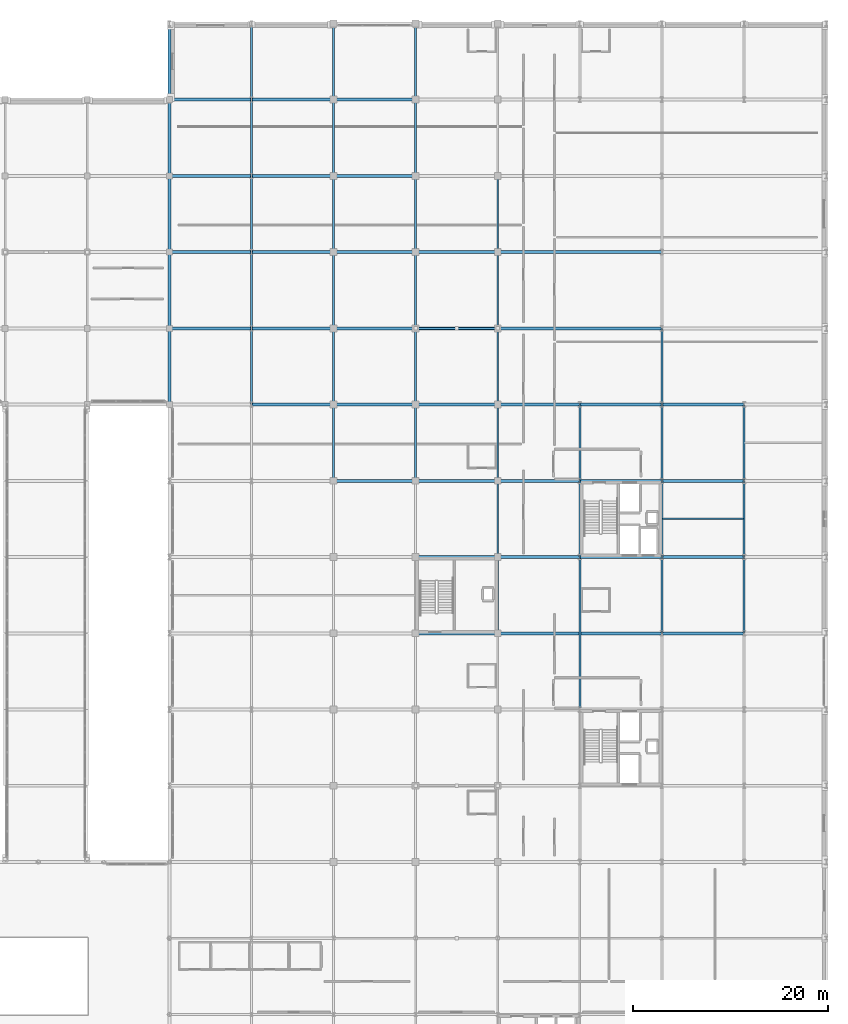
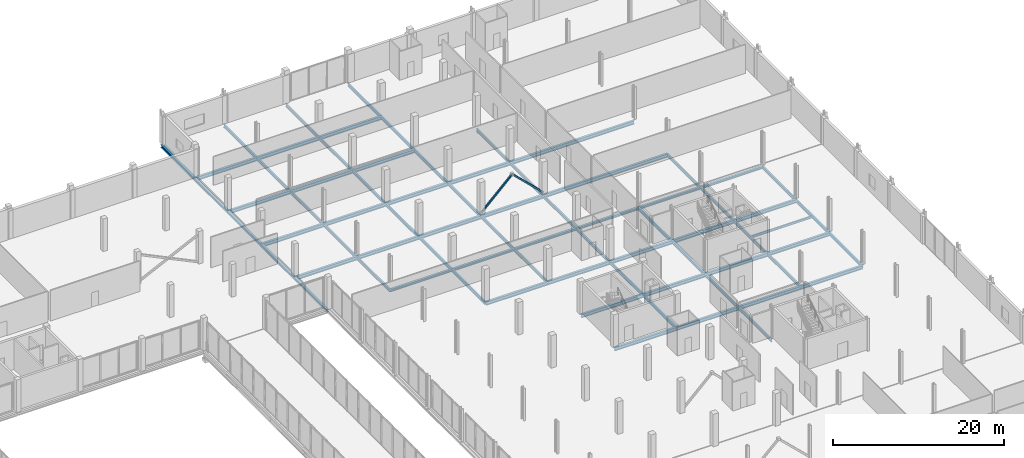
# One storey, part 55 of 98: 73 beams, 2 members.
"""IFC4 building model written with IfcOpenShell, lengths in metres."""

from ifc_helpers import new_model, si_unit, direction, frame, origin, origin_2d, place, context, subcontext, project, spatial, hollow_rectangle, i_section, extrude, material, material_profile, profile_set, type_object, element, save


model = new_model("IFC4")

# Units and contexts
model_context = context("Model", 3, precision=1e-05, world=origin(), true_north=direction((0.0, 1.0)))
body_context = subcontext(model_context, "Body", "Model", "MODEL_VIEW")
ifc_project = project(units=[si_unit("LENGTHUNIT", "METRE"), si_unit("AREAUNIT", "SQUARE_METRE"), si_unit("VOLUMEUNIT", "CUBIC_METRE"), si_unit("PLANEANGLEUNIT", "RADIAN"), si_unit("MASSUNIT", "GRAM", prefix="KILO")], contexts=[model_context])

# Site, building, storey
site_placement = place(None, origin())
site = spatial("IfcSite", under=ifc_project, at=site_placement, CompositionType="ELEMENT")
building_placement = place(site_placement, origin())
building = spatial("IfcBuilding", under=site, at=building_placement, Name="Nabrawat Pavilion Hospital", CompositionType="ELEMENT")
storey_placement = place(building_placement, frame((0.0, 0.0, 10.199951171875)))
storey = spatial("IfcBuildingStorey", under=building, at=storey_placement, Name="L02", CompositionType="ELEMENT", Elevation=10.199951171875)

# Members
ifc_material = material(Name="Steel S355", Category="steel")
ifc_material_profile_1 = material_profile(ifc_material, hollow_rectangle(XDim=0.199951171875, YDim=0.199951171875, WallThickness=0.012451171875, at=origin_2d()), Name="SHS 200x200x12.5")
ifc_profile_set_1 = profile_set([ifc_material_profile_1], Name="Steel S355")
member_type = type_object("IfcMemberType", Name="Mid Seismic Chevron Brace SHS 200x200x12.5", PredefinedType="BRACE", material=ifc_profile_set_1)
member_1_placement = place(storey_placement, frame((151.199951171875, 93.60009765625, 0.050048828125), z_axis=(0.719836081517, 0.0, 0.694144088606), x_axis=(0.0, 1.0, 0.0)))
element("IfcMember", 1, at=member_1_placement, inside=storey, type_object=member_type, Name="L02 Seismic Concentric Chevron Brace 071", PredefinedType="BRACE", context=body_context, shape_type="SweptSolid", body=[
    extrude(hollow_rectangle(XDim=0.199951171875, YDim=0.199951171875, WallThickness=0.012451171875, at=origin_2d()), origin(), (0.0, 0.0, 1.0), 5.83447265625),
])
member_2_placement = place(storey_placement, frame((159.60009765625, 93.60009765625, 0.050048828125), z_axis=(-0.719856242377, 0.0, 0.694123180934), x_axis=(0.0, -1.0, 0.0)))
element("IfcMember", 2, at=member_2_placement, inside=storey, type_object=member_type, Name="L02 Seismic Concentric Chevron Brace 072", PredefinedType="BRACE", context=body_context, shape_type="SweptSolid", body=[
    extrude(hollow_rectangle(XDim=0.199951171875, YDim=0.199951171875, WallThickness=0.012451171875, at=origin_2d()), origin(), (0.0, 0.0, 1.0), 5.834716796875),
])

# Beams
ifc_material_profile_2 = material_profile(ifc_material, i_section(OverallWidth=0.300048828125, OverallDepth=0.389892578125, WebThickness=0.010986328125, FlangeThickness=0.01904296875, FilletRadius=0.027099609375, at=origin_2d()), Name="HEA 400")
ifc_profile_set_2 = profile_set([ifc_material_profile_2], Name="Steel S355")
beam_type_1 = type_object("IfcBeamType", Name="Perimeter Moment Spandrel Beam HEA 400", PredefinedType="SPANDREL", material=ifc_profile_set_2)
beam_1_placement = place(storey_placement, frame((126.0, 85.820068359375, -0.445068359375), z_axis=(0.0, 1.0, 0.0), x_axis=(-1.0, 0.0, 0.0)))
element("IfcBeam", 3, at=beam_1_placement, inside=storey, type_object=beam_type_1, Name="L02 Primary Y Beam 1287", PredefinedType="SPANDREL", context=body_context, shape_type="SweptSolid", body=[
    extrude(i_section(OverallWidth=0.300048828125, OverallDepth=0.389892578125, WebThickness=0.010986328125, FlangeThickness=0.01904296875, FilletRadius=0.027099609375, at=origin_2d()), origin(), (0.0, 0.0, 1.0), 7.760009765625),
])
beam_2_placement = place(storey_placement, frame((126.0, 93.6201171875, -0.445068359375), z_axis=(0.0, 1.0, 0.0), x_axis=(-1.0, 0.0, 0.0)))
element("IfcBeam", 4, at=beam_2_placement, inside=storey, type_object=beam_type_1, Name="L02 Primary Y Beam 1288", PredefinedType="SPANDREL", context=body_context, shape_type="SweptSolid", body=[
    extrude(i_section(OverallWidth=0.300048828125, OverallDepth=0.389892578125, WebThickness=0.010986328125, FlangeThickness=0.01904296875, FilletRadius=0.027099609375, at=origin_2d()), origin(), (0.0, 0.0, 1.0), 7.759765625),
])
for number, where, z_axis, x_axis, name in (
    (5, (126.0, 101.419921875, -0.445068359375), (0.0, 1.0, 0.0), (-1.0, 0.0, 0.0), "L02 Primary Y Beam 1289"),
    (6, (126.0, 109.219970703125, -0.445068359375), (0.0, 1.0, 0.0), (-1.0, 0.0, 0.0), "L02 Primary Y Beam 1290"),
    (7, (126.0, 117.02001953125, -0.445068359375), (0.0, 1.0, 0.0), (-1.0, 0.0, 0.0), "L02 Primary Y Beam 1291"),
):
    element("IfcBeam", number, at=place(storey_placement, frame(where, z_axis=z_axis, x_axis=x_axis)), inside=storey, type_object=beam_type_1, Name=name, PredefinedType="SPANDREL", context=body_context, shape_type="SweptSolid", body=[
        extrude(i_section(OverallWidth=0.300048828125, OverallDepth=0.389892578125, WebThickness=0.010986328125, FlangeThickness=0.01904296875, FilletRadius=0.027099609375, at=origin_2d()), origin(), (0.0, 0.0, 1.0), 7.760009765625),
    ])
ifc_material_profile_3 = material_profile(ifc_material, i_section(OverallWidth=0.300048828125, OverallDepth=0.5, WebThickness=0.014404296875, FlangeThickness=0.028076171875, FilletRadius=0.027099609375, at=origin_2d()), Name="HEB 500")
ifc_profile_set_3 = profile_set([ifc_material_profile_3], Name="Steel S355")
beam_type_2 = type_object("IfcBeamType", Name="Primary Floor Girder HEB 500", PredefinedType="USERDEFINED", material=ifc_profile_set_3)
beam_3_placement = place(storey_placement, frame((151.219970703125, 62.39990234375, -0.5), z_axis=(1.0, 0.0, 0.0), x_axis=(0.0, 1.0, 0.0)))
element("IfcBeam", 8, at=beam_3_placement, inside=storey, type_object=beam_type_2, Name="L02 Primary X Girder 1049", ObjectType="GIRDER", PredefinedType="USERDEFINED", context=body_context, shape_type="SweptSolid", body=[
    extrude(i_section(OverallWidth=0.300048828125, OverallDepth=0.5, WebThickness=0.014404296875, FlangeThickness=0.028076171875, FilletRadius=0.027099609375, at=origin_2d()), origin(), (0.0, 0.0, 1.0), 8.360107421875),
])
beam_4_placement = place(storey_placement, frame((159.6201171875, 62.39990234375, -0.5), z_axis=(1.0, 0.0, 0.0), x_axis=(0.0, 1.0, 0.0)))
element("IfcBeam", 9, at=beam_4_placement, inside=storey, type_object=beam_type_2, Name="L02 Primary X Girder 1050", ObjectType="GIRDER", PredefinedType="USERDEFINED", context=body_context, shape_type="SweptSolid", body=[
    extrude(i_section(OverallWidth=0.300048828125, OverallDepth=0.5, WebThickness=0.014404296875, FlangeThickness=0.028076171875, FilletRadius=0.027099609375, at=origin_2d()), origin(), (0.0, 0.0, 1.0), 16.759765625),
])
for number, where, z_axis, x_axis, name in (
    (10, (176.419921875, 62.39990234375, -0.5), (1.0, 0.0, 0.0), (0.0, 1.0, 0.0), "L02 Primary X Girder 1051"),
    (11, (151.219970703125, 70.199951171875, -0.5), (1.0, 0.0, 0.0), (0.0, 1.0, 0.0), "L02 Primary X Girder 1060"),
):
    element("IfcBeam", number, at=place(storey_placement, frame(where, z_axis=z_axis, x_axis=x_axis)), inside=storey, type_object=beam_type_2, Name=name, ObjectType="GIRDER", PredefinedType="USERDEFINED", context=body_context, shape_type="SweptSolid", body=[
        extrude(i_section(OverallWidth=0.300048828125, OverallDepth=0.5, WebThickness=0.014404296875, FlangeThickness=0.028076171875, FilletRadius=0.027099609375, at=origin_2d()), origin(), (0.0, 0.0, 1.0), 8.360107421875),
    ])
for number, where, z_axis, x_axis, name in (
    (12, (159.6201171875, 70.199951171875, -0.5), (1.0, 0.0, 0.0), (0.0, 1.0, 0.0), "L02 Primary X Girder 1061"),
    (13, (168.02001953125, 70.199951171875, -0.5), (1.0, 0.0, 0.0), (0.0, 1.0, 0.0), "L02 Primary X Girder 1062"),
):
    element("IfcBeam", number, at=place(storey_placement, frame(where, z_axis=z_axis, x_axis=x_axis)), inside=storey, type_object=beam_type_2, Name=name, ObjectType="GIRDER", PredefinedType="USERDEFINED", context=body_context, shape_type="SweptSolid", body=[
        extrude(i_section(OverallWidth=0.300048828125, OverallDepth=0.5, WebThickness=0.014404296875, FlangeThickness=0.028076171875, FilletRadius=0.027099609375, at=origin_2d()), origin(), (0.0, 0.0, 1.0), 8.35986328125),
    ])
beam_5_placement = place(storey_placement, frame((176.419921875, 70.199951171875, -0.5), z_axis=(1.0, 0.0, 0.0), x_axis=(0.0, 1.0, 0.0)))
element("IfcBeam", 14, at=beam_5_placement, inside=storey, type_object=beam_type_2, Name="L02 Primary X Girder 1063", ObjectType="GIRDER", PredefinedType="USERDEFINED", context=body_context, shape_type="SweptSolid", body=[
    extrude(i_section(OverallWidth=0.300048828125, OverallDepth=0.5, WebThickness=0.014404296875, FlangeThickness=0.028076171875, FilletRadius=0.027099609375, at=origin_2d()), origin(), (0.0, 0.0, 1.0), 8.360107421875),
])
beam_6_placement = place(storey_placement, frame((142.820068359375, 78.0, -0.5), z_axis=(1.0, 0.0, 0.0), x_axis=(0.0, 1.0, 0.0)))
element("IfcBeam", 15, at=beam_6_placement, inside=storey, type_object=beam_type_2, Name="L02 Primary X Girder 1071", ObjectType="GIRDER", PredefinedType="USERDEFINED", context=body_context, shape_type="SweptSolid", body=[
    extrude(i_section(OverallWidth=0.300048828125, OverallDepth=0.5, WebThickness=0.014404296875, FlangeThickness=0.028076171875, FilletRadius=0.027099609375, at=origin_2d()), origin(), (0.0, 0.0, 1.0), 8.35986328125),
])
beam_7_placement = place(storey_placement, frame((151.219970703125, 78.0, -0.5), z_axis=(1.0, 0.0, 0.0), x_axis=(0.0, 1.0, 0.0)))
element("IfcBeam", 16, at=beam_7_placement, inside=storey, type_object=beam_type_2, Name="L02 Primary X Girder 1072", ObjectType="GIRDER", PredefinedType="USERDEFINED", context=body_context, shape_type="SweptSolid", body=[
    extrude(i_section(OverallWidth=0.300048828125, OverallDepth=0.5, WebThickness=0.014404296875, FlangeThickness=0.028076171875, FilletRadius=0.027099609375, at=origin_2d()), origin(), (0.0, 0.0, 1.0), 8.360107421875),
])
for number, where, z_axis, x_axis, name in (
    (17, (159.6201171875, 78.0, -0.5), (1.0, 0.0, 0.0), (0.0, 1.0, 0.0), "L02 Primary X Girder 1073"),
    (18, (168.02001953125, 78.0, -0.5), (1.0, 0.0, 0.0), (0.0, 1.0, 0.0), "L02 Primary X Girder 1074"),
):
    element("IfcBeam", number, at=place(storey_placement, frame(where, z_axis=z_axis, x_axis=x_axis)), inside=storey, type_object=beam_type_2, Name=name, ObjectType="GIRDER", PredefinedType="USERDEFINED", context=body_context, shape_type="SweptSolid", body=[
        extrude(i_section(OverallWidth=0.300048828125, OverallDepth=0.5, WebThickness=0.014404296875, FlangeThickness=0.028076171875, FilletRadius=0.027099609375, at=origin_2d()), origin(), (0.0, 0.0, 1.0), 8.35986328125),
    ])
beam_8_placement = place(storey_placement, frame((176.419921875, 78.0, -0.5), z_axis=(1.0, 0.0, 0.0), x_axis=(0.0, 1.0, 0.0)))
element("IfcBeam", 19, at=beam_8_placement, inside=storey, type_object=beam_type_2, Name="L02 Primary X Girder 1075", ObjectType="GIRDER", PredefinedType="USERDEFINED", context=body_context, shape_type="SweptSolid", body=[
    extrude(i_section(OverallWidth=0.300048828125, OverallDepth=0.5, WebThickness=0.014404296875, FlangeThickness=0.028076171875, FilletRadius=0.027099609375, at=origin_2d()), origin(), (0.0, 0.0, 1.0), 8.360107421875),
])
beam_9_placement = place(storey_placement, frame((126.02001953125, 93.60009765625, -0.5), z_axis=(1.0, 0.0, 0.0), x_axis=(0.0, 1.0, 0.0)))
element("IfcBeam", 20, at=beam_9_placement, inside=storey, type_object=beam_type_2, Name="L02 Primary X Girder 1110", ObjectType="GIRDER", PredefinedType="USERDEFINED", context=body_context, shape_type="SweptSolid", body=[
    extrude(i_section(OverallWidth=0.300048828125, OverallDepth=0.5, WebThickness=0.014404296875, FlangeThickness=0.028076171875, FilletRadius=0.027099609375, at=origin_2d()), origin(), (0.0, 0.0, 1.0), 8.35986328125),
])
beam_10_placement = place(storey_placement, frame((134.419921875, 93.60009765625, -0.5), z_axis=(1.0, 0.0, 0.0), x_axis=(0.0, 1.0, 0.0)))
element("IfcBeam", 21, at=beam_10_placement, inside=storey, type_object=beam_type_2, Name="L02 Primary X Girder 1111", ObjectType="GIRDER", PredefinedType="USERDEFINED", context=body_context, shape_type="SweptSolid", body=[
    extrude(i_section(OverallWidth=0.300048828125, OverallDepth=0.5, WebThickness=0.014404296875, FlangeThickness=0.028076171875, FilletRadius=0.027099609375, at=origin_2d()), origin(), (0.0, 0.0, 1.0), 8.360107421875),
])
beam_11_placement = place(storey_placement, frame((142.820068359375, 93.60009765625, -0.5), z_axis=(1.0, 0.0, 0.0), x_axis=(0.0, 1.0, 0.0)))
element("IfcBeam", 22, at=beam_11_placement, inside=storey, type_object=beam_type_2, Name="L02 Primary X Girder 1112", ObjectType="GIRDER", PredefinedType="USERDEFINED", context=body_context, shape_type="SweptSolid", body=[
    extrude(i_section(OverallWidth=0.300048828125, OverallDepth=0.5, WebThickness=0.014404296875, FlangeThickness=0.028076171875, FilletRadius=0.027099609375, at=origin_2d()), origin(), (0.0, 0.0, 1.0), 8.35986328125),
])
beam_12_placement = place(storey_placement, frame((151.219970703125, 93.60009765625, -0.5), z_axis=(1.0, 0.0, 0.0), x_axis=(0.0, 1.0, 0.0)))
element("IfcBeam", 23, at=beam_12_placement, inside=storey, type_object=beam_type_2, Name="L02 Primary X Girder 1113", ObjectType="GIRDER", PredefinedType="USERDEFINED", context=body_context, shape_type="SweptSolid", body=[
    extrude(i_section(OverallWidth=0.300048828125, OverallDepth=0.5, WebThickness=0.014404296875, FlangeThickness=0.028076171875, FilletRadius=0.027099609375, at=origin_2d()), origin(), (0.0, 0.0, 1.0), 8.360107421875),
])
beam_13_placement = place(storey_placement, frame((159.6201171875, 93.60009765625, -0.5), z_axis=(1.0, 0.0, 0.0), x_axis=(0.0, 1.0, 0.0)))
element("IfcBeam", 24, at=beam_13_placement, inside=storey, type_object=beam_type_2, Name="L02 Primary X Girder 1114", ObjectType="GIRDER", PredefinedType="USERDEFINED", context=body_context, shape_type="SweptSolid", body=[
    extrude(i_section(OverallWidth=0.300048828125, OverallDepth=0.5, WebThickness=0.014404296875, FlangeThickness=0.028076171875, FilletRadius=0.027099609375, at=origin_2d()), origin(), (0.0, 0.0, 1.0), 16.759765625),
])
beam_14_placement = place(storey_placement, frame((126.02001953125, 101.39990234375, -0.5), z_axis=(1.0, 0.0, 0.0), x_axis=(0.0, 1.0, 0.0)))
element("IfcBeam", 25, at=beam_14_placement, inside=storey, type_object=beam_type_2, Name="L02 Primary X Girder 1123", ObjectType="GIRDER", PredefinedType="USERDEFINED", context=body_context, shape_type="SweptSolid", body=[
    extrude(i_section(OverallWidth=0.300048828125, OverallDepth=0.5, WebThickness=0.014404296875, FlangeThickness=0.028076171875, FilletRadius=0.027099609375, at=origin_2d()), origin(), (0.0, 0.0, 1.0), 8.35986328125),
])
beam_15_placement = place(storey_placement, frame((134.419921875, 101.39990234375, -0.5), z_axis=(1.0, 0.0, 0.0), x_axis=(0.0, 1.0, 0.0)))
element("IfcBeam", 26, at=beam_15_placement, inside=storey, type_object=beam_type_2, Name="L02 Primary X Girder 1124", ObjectType="GIRDER", PredefinedType="USERDEFINED", context=body_context, shape_type="SweptSolid", body=[
    extrude(i_section(OverallWidth=0.300048828125, OverallDepth=0.5, WebThickness=0.014404296875, FlangeThickness=0.028076171875, FilletRadius=0.027099609375, at=origin_2d()), origin(), (0.0, 0.0, 1.0), 8.360107421875),
])
beam_16_placement = place(storey_placement, frame((142.820068359375, 101.39990234375, -0.5), z_axis=(1.0, 0.0, 0.0), x_axis=(0.0, 1.0, 0.0)))
element("IfcBeam", 27, at=beam_16_placement, inside=storey, type_object=beam_type_2, Name="L02 Primary X Girder 1125", ObjectType="GIRDER", PredefinedType="USERDEFINED", context=body_context, shape_type="SweptSolid", body=[
    extrude(i_section(OverallWidth=0.300048828125, OverallDepth=0.5, WebThickness=0.014404296875, FlangeThickness=0.028076171875, FilletRadius=0.027099609375, at=origin_2d()), origin(), (0.0, 0.0, 1.0), 8.35986328125),
])
beam_17_placement = place(storey_placement, frame((151.219970703125, 101.39990234375, -0.5), z_axis=(1.0, 0.0, 0.0), x_axis=(0.0, 1.0, 0.0)))
element("IfcBeam", 28, at=beam_17_placement, inside=storey, type_object=beam_type_2, Name="L02 Primary X Girder 1126", ObjectType="GIRDER", PredefinedType="USERDEFINED", context=body_context, shape_type="SweptSolid", body=[
    extrude(i_section(OverallWidth=0.300048828125, OverallDepth=0.5, WebThickness=0.014404296875, FlangeThickness=0.028076171875, FilletRadius=0.027099609375, at=origin_2d()), origin(), (0.0, 0.0, 1.0), 8.360107421875),
])
beam_18_placement = place(storey_placement, frame((159.6201171875, 101.39990234375, -0.5), z_axis=(1.0, 0.0, 0.0), x_axis=(0.0, 1.0, 0.0)))
element("IfcBeam", 29, at=beam_18_placement, inside=storey, type_object=beam_type_2, Name="L02 Primary X Girder 1127", ObjectType="GIRDER", PredefinedType="USERDEFINED", context=body_context, shape_type="SweptSolid", body=[
    extrude(i_section(OverallWidth=0.300048828125, OverallDepth=0.5, WebThickness=0.014404296875, FlangeThickness=0.028076171875, FilletRadius=0.027099609375, at=origin_2d()), origin(), (0.0, 0.0, 1.0), 16.759765625),
])
beam_19_placement = place(storey_placement, frame((126.02001953125, 109.199951171875, -0.5), z_axis=(1.0, 0.0, 0.0), x_axis=(0.0, 1.0, 0.0)))
element("IfcBeam", 30, at=beam_19_placement, inside=storey, type_object=beam_type_2, Name="L02 Primary X Girder 1135", ObjectType="GIRDER", PredefinedType="USERDEFINED", context=body_context, shape_type="SweptSolid", body=[
    extrude(i_section(OverallWidth=0.300048828125, OverallDepth=0.5, WebThickness=0.014404296875, FlangeThickness=0.028076171875, FilletRadius=0.027099609375, at=origin_2d()), origin(), (0.0, 0.0, 1.0), 8.35986328125),
])
beam_20_placement = place(storey_placement, frame((134.419921875, 109.199951171875, -0.5), z_axis=(1.0, 0.0, 0.0), x_axis=(0.0, 1.0, 0.0)))
element("IfcBeam", 31, at=beam_20_placement, inside=storey, type_object=beam_type_2, Name="L02 Primary X Girder 1136", ObjectType="GIRDER", PredefinedType="USERDEFINED", context=body_context, shape_type="SweptSolid", body=[
    extrude(i_section(OverallWidth=0.300048828125, OverallDepth=0.5, WebThickness=0.014404296875, FlangeThickness=0.028076171875, FilletRadius=0.027099609375, at=origin_2d()), origin(), (0.0, 0.0, 1.0), 8.360107421875),
])
for number, where, z_axis, x_axis, name in (
    (32, (142.820068359375, 109.199951171875, -0.5), (1.0, 0.0, 0.0), (0.0, 1.0, 0.0), "L02 Primary X Girder 1137"),
    (33, (126.02001953125, 117.0, -0.5), (1.0, 0.0, 0.0), (0.0, 1.0, 0.0), "L02 Primary X Girder 1156"),
):
    element("IfcBeam", number, at=place(storey_placement, frame(where, z_axis=z_axis, x_axis=x_axis)), inside=storey, type_object=beam_type_2, Name=name, ObjectType="GIRDER", PredefinedType="USERDEFINED", context=body_context, shape_type="SweptSolid", body=[
        extrude(i_section(OverallWidth=0.300048828125, OverallDepth=0.5, WebThickness=0.014404296875, FlangeThickness=0.028076171875, FilletRadius=0.027099609375, at=origin_2d()), origin(), (0.0, 0.0, 1.0), 8.35986328125),
    ])
beam_21_placement = place(storey_placement, frame((134.419921875, 117.0, -0.5), z_axis=(1.0, 0.0, 0.0), x_axis=(0.0, 1.0, 0.0)))
element("IfcBeam", 34, at=beam_21_placement, inside=storey, type_object=beam_type_2, Name="L02 Primary X Girder 1157", ObjectType="GIRDER", PredefinedType="USERDEFINED", context=body_context, shape_type="SweptSolid", body=[
    extrude(i_section(OverallWidth=0.300048828125, OverallDepth=0.5, WebThickness=0.014404296875, FlangeThickness=0.028076171875, FilletRadius=0.027099609375, at=origin_2d()), origin(), (0.0, 0.0, 1.0), 8.360107421875),
])
beam_22_placement = place(storey_placement, frame((142.820068359375, 117.0, -0.5), z_axis=(1.0, 0.0, 0.0), x_axis=(0.0, 1.0, 0.0)))
element("IfcBeam", 35, at=beam_22_placement, inside=storey, type_object=beam_type_2, Name="L02 Primary X Girder 1158", ObjectType="GIRDER", PredefinedType="USERDEFINED", context=body_context, shape_type="SweptSolid", body=[
    extrude(i_section(OverallWidth=0.300048828125, OverallDepth=0.5, WebThickness=0.014404296875, FlangeThickness=0.028076171875, FilletRadius=0.027099609375, at=origin_2d()), origin(), (0.0, 0.0, 1.0), 8.35986328125),
])
ifc_material_profile_4 = material_profile(ifc_material, i_section(OverallWidth=0.18994140625, OverallDepth=0.449951171875, WebThickness=0.009521484375, FlangeThickness=0.0146484375, FilletRadius=0.02099609375, at=origin_2d()), Name="IPE 450")
ifc_profile_set_4 = profile_set([ifc_material_profile_4], Name="Steel S355")
beam_type_3 = type_object("IfcBeamType", Name="Primary Y Floor Beam IPE 450", PredefinedType="BEAM", material=ifc_profile_set_4)
beam_23_placement = place(storey_placement, frame((134.39990234375, 85.820068359375, -0.474853515625), z_axis=(0.0, 1.0, 0.0), x_axis=(-1.0, 0.0, 0.0)))
element("IfcBeam", 36, at=beam_23_placement, inside=storey, type_object=beam_type_3, Name="L02 Primary Y Beam 1303", PredefinedType="BEAM", context=body_context, shape_type="SweptSolid", body=[
    extrude(i_section(OverallWidth=0.18994140625, OverallDepth=0.449951171875, WebThickness=0.009521484375, FlangeThickness=0.0146484375, FilletRadius=0.02099609375, at=origin_2d()), origin(), (0.0, 0.0, 1.0), 7.760009765625),
])
beam_24_placement = place(storey_placement, frame((134.39990234375, 93.6201171875, -0.474853515625), z_axis=(0.0, 1.0, 0.0), x_axis=(-1.0, 0.0, 0.0)))
element("IfcBeam", 37, at=beam_24_placement, inside=storey, type_object=beam_type_3, Name="L02 Primary Y Beam 1304", PredefinedType="BEAM", context=body_context, shape_type="SweptSolid", body=[
    extrude(i_section(OverallWidth=0.18994140625, OverallDepth=0.449951171875, WebThickness=0.009521484375, FlangeThickness=0.0146484375, FilletRadius=0.02099609375, at=origin_2d()), origin(), (0.0, 0.0, 1.0), 7.759765625),
])
for number, where, z_axis, x_axis, name in (
    (38, (134.39990234375, 101.419921875, -0.474853515625), (0.0, 1.0, 0.0), (-1.0, 0.0, 0.0), "L02 Primary Y Beam 1305"),
    (39, (134.39990234375, 109.219970703125, -0.474853515625), (0.0, 1.0, 0.0), (-1.0, 0.0, 0.0), "L02 Primary Y Beam 1306"),
    (40, (134.39990234375, 117.02001953125, -0.474853515625), (0.0, 1.0, 0.0), (-1.0, 0.0, 0.0), "L02 Primary Y Beam 1307"),
    (41, (142.800048828125, 78.02001953125, -0.474853515625), (0.0, 1.0, 0.0), (-1.0, 0.0, 0.0), "L02 Primary Y Beam 1318"),
    (42, (142.800048828125, 85.820068359375, -0.474853515625), (0.0, 1.0, 0.0), (-1.0, 0.0, 0.0), "L02 Primary Y Beam 1319"),
):
    element("IfcBeam", number, at=place(storey_placement, frame(where, z_axis=z_axis, x_axis=x_axis)), inside=storey, type_object=beam_type_3, Name=name, PredefinedType="BEAM", context=body_context, shape_type="SweptSolid", body=[
        extrude(i_section(OverallWidth=0.18994140625, OverallDepth=0.449951171875, WebThickness=0.009521484375, FlangeThickness=0.0146484375, FilletRadius=0.02099609375, at=origin_2d()), origin(), (0.0, 0.0, 1.0), 7.760009765625),
    ])
beam_25_placement = place(storey_placement, frame((142.800048828125, 93.6201171875, -0.474853515625), z_axis=(0.0, 1.0, 0.0), x_axis=(-1.0, 0.0, 0.0)))
element("IfcBeam", 43, at=beam_25_placement, inside=storey, type_object=beam_type_3, Name="L02 Primary Y Beam 1320", PredefinedType="BEAM", context=body_context, shape_type="SweptSolid", body=[
    extrude(i_section(OverallWidth=0.18994140625, OverallDepth=0.449951171875, WebThickness=0.009521484375, FlangeThickness=0.0146484375, FilletRadius=0.02099609375, at=origin_2d()), origin(), (0.0, 0.0, 1.0), 7.759765625),
])
for number, where, z_axis, x_axis, name in (
    (44, (142.800048828125, 101.419921875, -0.474853515625), (0.0, 1.0, 0.0), (-1.0, 0.0, 0.0), "L02 Primary Y Beam 1321"),
    (45, (142.800048828125, 109.219970703125, -0.474853515625), (0.0, 1.0, 0.0), (-1.0, 0.0, 0.0), "L02 Primary Y Beam 1322"),
    (46, (142.800048828125, 117.02001953125, -0.474853515625), (0.0, 1.0, 0.0), (-1.0, 0.0, 0.0), "L02 Primary Y Beam 1323"),
    (47, (151.199951171875, 78.02001953125, -0.474853515625), (0.0, 1.0, 0.0), (-1.0, 0.0, 0.0), "L02 Primary Y Beam 1334"),
    (48, (151.199951171875, 85.820068359375, -0.474853515625), (0.0, 1.0, 0.0), (-1.0, 0.0, 0.0), "L02 Primary Y Beam 1335"),
):
    element("IfcBeam", number, at=place(storey_placement, frame(where, z_axis=z_axis, x_axis=x_axis)), inside=storey, type_object=beam_type_3, Name=name, PredefinedType="BEAM", context=body_context, shape_type="SweptSolid", body=[
        extrude(i_section(OverallWidth=0.18994140625, OverallDepth=0.449951171875, WebThickness=0.009521484375, FlangeThickness=0.0146484375, FilletRadius=0.02099609375, at=origin_2d()), origin(), (0.0, 0.0, 1.0), 7.760009765625),
    ])
beam_26_placement = place(storey_placement, frame((151.199951171875, 93.6201171875, -0.474853515625), z_axis=(0.0, 1.0, 0.0), x_axis=(-1.0, 0.0, 0.0)))
element("IfcBeam", 49, at=beam_26_placement, inside=storey, type_object=beam_type_3, Name="L02 Primary Y Beam 1336", PredefinedType="BEAM", context=body_context, shape_type="SweptSolid", body=[
    extrude(i_section(OverallWidth=0.18994140625, OverallDepth=0.449951171875, WebThickness=0.009521484375, FlangeThickness=0.0146484375, FilletRadius=0.02099609375, at=origin_2d()), origin(), (0.0, 0.0, 1.0), 7.759765625),
])
for number, where, z_axis, x_axis, name in (
    (50, (151.199951171875, 101.419921875, -0.474853515625), (0.0, 1.0, 0.0), (-1.0, 0.0, 0.0), "L02 Primary Y Beam 1337"),
    (51, (151.199951171875, 109.219970703125, -0.474853515625), (0.0, 1.0, 0.0), (-1.0, 0.0, 0.0), "L02 Primary Y Beam 1338"),
    (52, (151.199951171875, 117.02001953125, -0.474853515625), (0.0, 1.0, 0.0), (-1.0, 0.0, 0.0), "L02 Primary Y Beam 1339"),
    (53, (159.60009765625, 62.419921875, -0.474853515625), (0.0, 1.0, 0.0), (-1.0, 0.0, 0.0), "L02 Primary Y Beam 1348"),
    (54, (159.60009765625, 70.219970703125, -0.474853515625), (0.0, 1.0, 0.0), (-1.0, 0.0, 0.0), "L02 Primary Y Beam 1349"),
    (55, (159.60009765625, 78.02001953125, -0.474853515625), (0.0, 1.0, 0.0), (-1.0, 0.0, 0.0), "L02 Primary Y Beam 1350"),
    (56, (159.60009765625, 85.820068359375, -0.474853515625), (0.0, 1.0, 0.0), (-1.0, 0.0, 0.0), "L02 Primary Y Beam 1351"),
):
    element("IfcBeam", number, at=place(storey_placement, frame(where, z_axis=z_axis, x_axis=x_axis)), inside=storey, type_object=beam_type_3, Name=name, PredefinedType="BEAM", context=body_context, shape_type="SweptSolid", body=[
        extrude(i_section(OverallWidth=0.18994140625, OverallDepth=0.449951171875, WebThickness=0.009521484375, FlangeThickness=0.0146484375, FilletRadius=0.02099609375, at=origin_2d()), origin(), (0.0, 0.0, 1.0), 7.760009765625),
    ])
beam_27_placement = place(storey_placement, frame((159.60009765625, 93.6201171875, -0.474853515625), z_axis=(0.0, 1.0, 0.0), x_axis=(-1.0, 0.0, 0.0)))
element("IfcBeam", 57, at=beam_27_placement, inside=storey, type_object=beam_type_3, Name="L02 Primary Y Beam 1352", PredefinedType="BEAM", context=body_context, shape_type="SweptSolid", body=[
    extrude(i_section(OverallWidth=0.18994140625, OverallDepth=0.449951171875, WebThickness=0.009521484375, FlangeThickness=0.0146484375, FilletRadius=0.02099609375, at=origin_2d()), origin(), (0.0, 0.0, 1.0), 7.759765625),
])
beam_28_placement = place(storey_placement, frame((159.60009765625, 101.419921875, -0.474853515625), z_axis=(0.0, 1.0, 0.0), x_axis=(-1.0, 0.0, 0.0)))
element("IfcBeam", 58, at=beam_28_placement, inside=storey, type_object=beam_type_3, Name="L02 Primary Y Beam 1353", PredefinedType="BEAM", context=body_context, shape_type="SweptSolid", body=[
    extrude(i_section(OverallWidth=0.18994140625, OverallDepth=0.449951171875, WebThickness=0.009521484375, FlangeThickness=0.0146484375, FilletRadius=0.02099609375, at=origin_2d()), origin(), (0.0, 0.0, 1.0), 7.760009765625),
])
beam_29_placement = place(storey_placement, frame((168.0, 54.6201171875, -0.474853515625), z_axis=(0.0, 1.0, 0.0), x_axis=(-1.0, 0.0, 0.0)))
element("IfcBeam", 59, at=beam_29_placement, inside=storey, type_object=beam_type_3, Name="L02 Primary Y Beam 1361", PredefinedType="BEAM", context=body_context, shape_type="SweptSolid", body=[
    extrude(i_section(OverallWidth=0.18994140625, OverallDepth=0.449951171875, WebThickness=0.009521484375, FlangeThickness=0.0146484375, FilletRadius=0.02099609375, at=origin_2d()), origin(), (0.0, 0.0, 1.0), 15.559814453125),
])
for number, where, z_axis, x_axis, name in (
    (60, (168.0, 70.219970703125, -0.474853515625), (0.0, 1.0, 0.0), (-1.0, 0.0, 0.0), "L02 Primary Y Beam 1362"),
    (61, (168.0, 78.02001953125, -0.474853515625), (0.0, 1.0, 0.0), (-1.0, 0.0, 0.0), "L02 Primary Y Beam 1363"),
    (62, (176.39990234375, 62.419921875, -0.474853515625), (0.0, 1.0, 0.0), (-1.0, 0.0, 0.0), "L02 Primary Y Beam 1373"),
    (63, (176.39990234375, 70.219970703125, -0.474853515625), (0.0, 1.0, 0.0), (-1.0, 0.0, 0.0), "L02 Primary Y Beam 1374"),
    (64, (176.39990234375, 78.02001953125, -0.474853515625), (0.0, 1.0, 0.0), (-1.0, 0.0, 0.0), "L02 Primary Y Beam 1375"),
    (65, (176.39990234375, 85.820068359375, -0.474853515625), (0.0, 1.0, 0.0), (-1.0, 0.0, 0.0), "L02 Primary Y Beam 1376"),
    (66, (184.800048828125, 62.419921875, -0.474853515625), (0.0, 1.0, 0.0), (-1.0, 0.0, 0.0), "L02 Primary Y Beam 1385"),
    (67, (184.800048828125, 70.219970703125, -0.474853515625), (0.0, 1.0, 0.0), (-1.0, 0.0, 0.0), "L02 Primary Y Beam 1386"),
    (68, (184.800048828125, 78.02001953125, -0.474853515625), (0.0, 1.0, 0.0), (-1.0, 0.0, 0.0), "L02 Primary Y Beam 1387"),
):
    element("IfcBeam", number, at=place(storey_placement, frame(where, z_axis=z_axis, x_axis=x_axis)), inside=storey, type_object=beam_type_3, Name=name, PredefinedType="BEAM", context=body_context, shape_type="SweptSolid", body=[
        extrude(i_section(OverallWidth=0.18994140625, OverallDepth=0.449951171875, WebThickness=0.009521484375, FlangeThickness=0.0146484375, FilletRadius=0.02099609375, at=origin_2d()), origin(), (0.0, 0.0, 1.0), 7.760009765625),
    ])
ifc_material_profile_5 = material_profile(ifc_material, i_section(OverallWidth=0.159912109375, OverallDepth=0.330078125, WebThickness=0.007568359375, FlangeThickness=0.011474609375, FilletRadius=0.01806640625, at=origin_2d()), Name="IPE 330")
ifc_profile_set_5 = profile_set([ifc_material_profile_5], Name="Steel S355")
beam_type_4 = type_object("IfcBeamType", Name="Standard Clinical Secondary Joist IPE 330", PredefinedType="JOIST", material=ifc_profile_set_5)
beam_30_placement = place(storey_placement, frame((176.469970703125, 74.10009765625, -0.4150390625), z_axis=(1.0, 0.0, 0.0), x_axis=(0.0, 1.0, 0.0)))
element("IfcBeam", 69, at=beam_30_placement, inside=storey, type_object=beam_type_4, Name="L02 Secondary Composite Floor Joist 1412", PredefinedType="JOIST", context=body_context, shape_type="SweptSolid", body=[
    extrude(i_section(OverallWidth=0.159912109375, OverallDepth=0.330078125, WebThickness=0.007568359375, FlangeThickness=0.011474609375, FilletRadius=0.01806640625, at=origin_2d()), origin(), (0.0, 0.0, 1.0), 8.260009765625),
])
ifc_material_profile_6 = material_profile(ifc_material, i_section(OverallWidth=0.300048828125, OverallDepth=0.340087890625, WebThickness=0.011962890625, FlangeThickness=0.021484375, FilletRadius=0.027099609375, at=origin_2d()), Name="HEB 340")
ifc_profile_set_6 = profile_set([ifc_material_profile_6], Name="Steel S355")
beam_type_5 = type_object("IfcBeamType", Name="Ward Perimeter Spandrel Beam HEB 340", PredefinedType="SPANDREL", material=ifc_profile_set_6)
beam_31_placement = place(storey_placement, frame((134.419921875, 85.800048828125, -0.419921875), z_axis=(1.0, 0.0, 0.0), x_axis=(0.0, 1.0, 0.0)))
element("IfcBeam", 70, at=beam_31_placement, inside=storey, type_object=beam_type_5, Name="L02 Primary X Girder 1093", PredefinedType="SPANDREL", context=body_context, shape_type="SweptSolid", body=[
    extrude(i_section(OverallWidth=0.300048828125, OverallDepth=0.340087890625, WebThickness=0.011962890625, FlangeThickness=0.021484375, FilletRadius=0.027099609375, at=origin_2d()), origin(), (0.0, 0.0, 1.0), 8.360107421875),
])
beam_32_placement = place(storey_placement, frame((142.820068359375, 85.800048828125, -0.419921875), z_axis=(1.0, 0.0, 0.0), x_axis=(0.0, 1.0, 0.0)))
element("IfcBeam", 71, at=beam_32_placement, inside=storey, type_object=beam_type_5, Name="L02 Primary X Girder 1094", PredefinedType="SPANDREL", context=body_context, shape_type="SweptSolid", body=[
    extrude(i_section(OverallWidth=0.300048828125, OverallDepth=0.340087890625, WebThickness=0.011962890625, FlangeThickness=0.021484375, FilletRadius=0.027099609375, at=origin_2d()), origin(), (0.0, 0.0, 1.0), 8.35986328125),
])
beam_33_placement = place(storey_placement, frame((151.219970703125, 85.800048828125, -0.419921875), z_axis=(1.0, 0.0, 0.0), x_axis=(0.0, 1.0, 0.0)))
element("IfcBeam", 72, at=beam_33_placement, inside=storey, type_object=beam_type_5, Name="L02 Primary X Girder 1095", PredefinedType="SPANDREL", context=body_context, shape_type="SweptSolid", body=[
    extrude(i_section(OverallWidth=0.300048828125, OverallDepth=0.340087890625, WebThickness=0.011962890625, FlangeThickness=0.021484375, FilletRadius=0.027099609375, at=origin_2d()), origin(), (0.0, 0.0, 1.0), 8.360107421875),
])
for number, where, z_axis, x_axis, name in (
    (73, (159.6201171875, 85.800048828125, -0.419921875), (1.0, 0.0, 0.0), (0.0, 1.0, 0.0), "L02 Primary X Girder 1096"),
    (74, (168.02001953125, 85.800048828125, -0.419921875), (1.0, 0.0, 0.0), (0.0, 1.0, 0.0), "L02 Primary X Girder 1097"),
):
    element("IfcBeam", number, at=place(storey_placement, frame(where, z_axis=z_axis, x_axis=x_axis)), inside=storey, type_object=beam_type_5, Name=name, PredefinedType="SPANDREL", context=body_context, shape_type="SweptSolid", body=[
        extrude(i_section(OverallWidth=0.300048828125, OverallDepth=0.340087890625, WebThickness=0.011962890625, FlangeThickness=0.021484375, FilletRadius=0.027099609375, at=origin_2d()), origin(), (0.0, 0.0, 1.0), 8.35986328125),
    ])
beam_34_placement = place(storey_placement, frame((176.419921875, 85.800048828125, -0.419921875), z_axis=(1.0, 0.0, 0.0), x_axis=(0.0, 1.0, 0.0)))
element("IfcBeam", 75, at=beam_34_placement, inside=storey, type_object=beam_type_5, Name="L02 Primary X Girder 1098", PredefinedType="SPANDREL", context=body_context, shape_type="SweptSolid", body=[
    extrude(i_section(OverallWidth=0.300048828125, OverallDepth=0.340087890625, WebThickness=0.011962890625, FlangeThickness=0.021484375, FilletRadius=0.027099609375, at=origin_2d()), origin(), (0.0, 0.0, 1.0), 8.360107421875),
])

save(model, "model.ifc")
